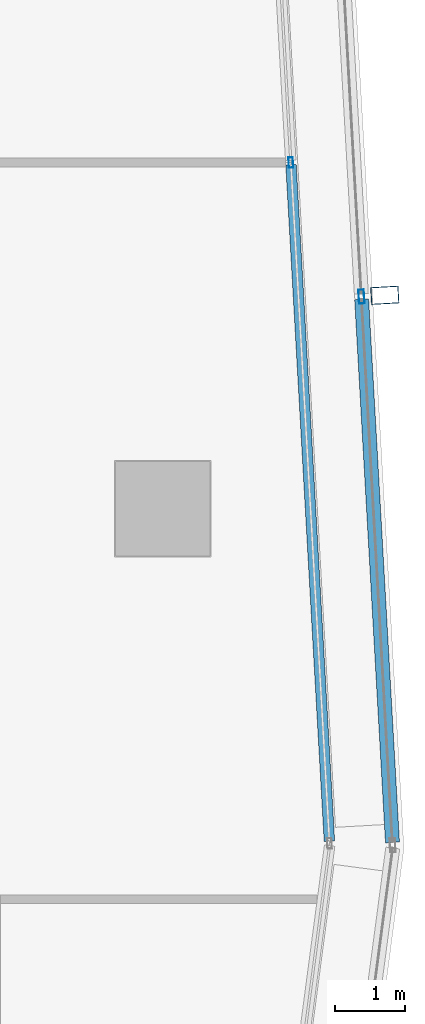
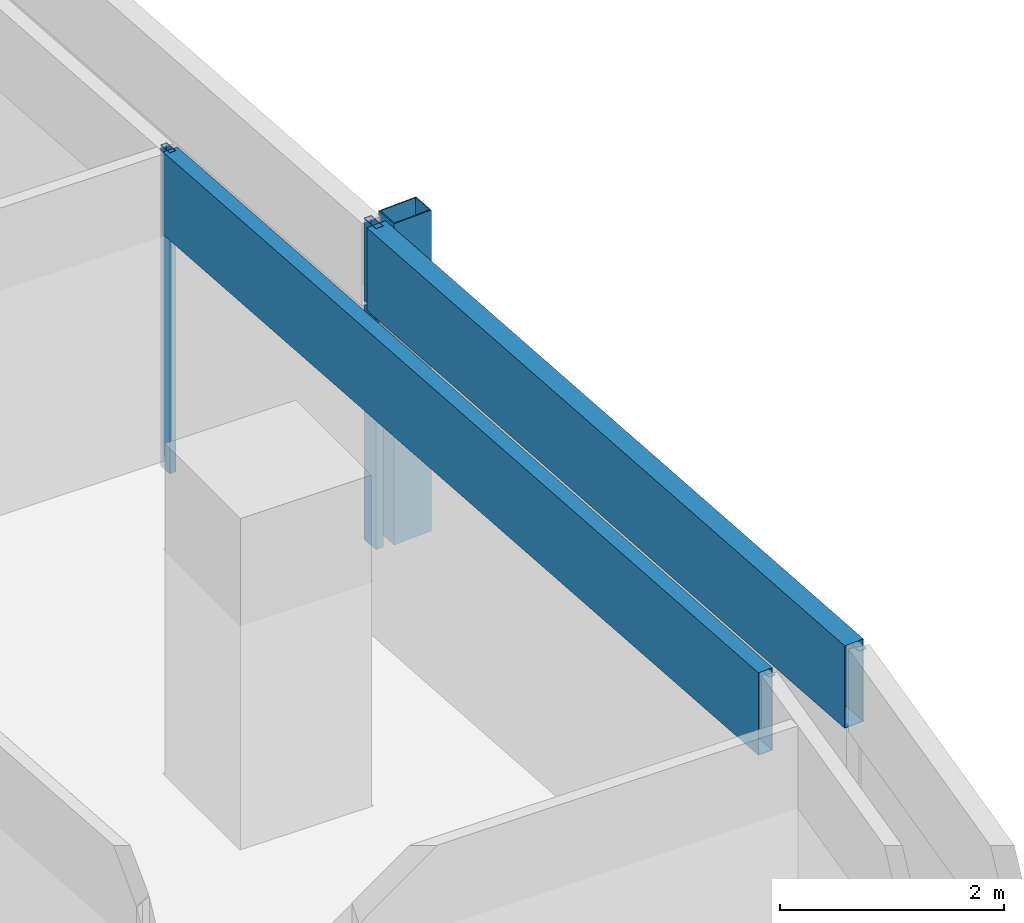
# One storey, part 14 of 39: 5 members, 2 elements without a shape of their own.
"""IFC4 building model written with IfcOpenShell, lengths in metres."""

from ifc_helpers import new_model, si_unit, direction, frame, origin, origin_2d, place, context, subcontext, project, spatial, hollow_rectangle, extrude, material, material_profile, profile_set, type_object, element, aggregate, save


model = new_model("IFC4")

# Units and contexts
model_context = context("Model", 3, precision=1e-05, world=origin(), true_north=direction((0.0, 1.0)))
body_context = subcontext(model_context, "Body", "Model", "MODEL_VIEW")
ifc_project = project(units=[si_unit("LENGTHUNIT", "METRE"), si_unit("AREAUNIT", "SQUARE_METRE"), si_unit("VOLUMEUNIT", "CUBIC_METRE"), si_unit("PLANEANGLEUNIT", "RADIAN"), si_unit("MASSUNIT", "GRAM", prefix="KILO")], contexts=[model_context])

# Site, building, storey
site_placement = place(None, origin())
site = spatial("IfcSite", under=ifc_project, at=site_placement, CompositionType="ELEMENT")
building_placement = place(site_placement, origin())
building = spatial("IfcBuilding", under=site, at=building_placement, Name="Rekha Terrace Tower", CompositionType="ELEMENT")
storey_placement = place(building_placement, frame((0.0, 0.0, 217.699951171875)))
storey = spatial("IfcBuildingStorey", under=building, at=storey_placement, Name="L55", CompositionType="ELEMENT", Elevation=217.699951171875)

# Curtain wall, member
ifc_material_1 = material(Name="Aluminium framing", Category="aluminium")
curtain_wall_type_1 = type_object("IfcCurtainWallType", Name="CW2 double skin outer glazing", PredefinedType="USERDEFINED", material=ifc_material_1)
curtain_wall_1_placement = place(storey_placement, origin())
curtain_wall_1 = element("IfcCurtainWall", 1, at=curtain_wall_1_placement, inside=storey, type_object=curtain_wall_type_1, Name="CW2 double skin outer glazing", ObjectType="DOUBLE SKIN OUTER GLAZING", PredefinedType="USERDEFINED")
ifc_material_2 = material(Name="Steel S355 with fluorocarbon finish", Category="steel")
ifc_material_profile_1 = material_profile(ifc_material_2, hollow_rectangle(XDim=0.25, YDim=0.39990234375, WallThickness=0.012451171875, at=origin_2d()), Name="RHS400x250x12.5")
ifc_profile_set_1 = profile_set([ifc_material_profile_1], Name="Steel S355 with fluorocarbon finish")
member_type_1 = type_object("IfcMemberType", Name="BL1 facade blade RHS 400 x 250", PredefinedType="USERDEFINED", material=ifc_profile_set_1)
member_1_placement = place(storey_placement, frame((61.975830078125, 36.65576171875, 0.0), z_axis=(0.0, 0.0, 1.0), x_axis=(-0.056673619809, 0.998392758797, 0.0)))
member_1 = element("IfcMember", 2, at=member_1_placement, type_object=member_type_1, Name="Facade blade", ObjectType="FACADE BLADE", PredefinedType="USERDEFINED", context=body_context, shape_type="SweptSolid", body=[
    extrude(hollow_rectangle(XDim=0.25, YDim=0.39990234375, WallThickness=0.012451171875, at=origin_2d()), origin(), (0.0, 0.0, 1.0), 3.5),
])

# Curtain wall, members
curtain_wall_type_2 = type_object("IfcCurtainWallType", Name="CW1 double skin inner glazing", PredefinedType="USERDEFINED", material=ifc_material_1)
curtain_wall_2_placement = place(storey_placement, origin())
curtain_wall_2 = element("IfcCurtainWall", 3, at=curtain_wall_2_placement, inside=storey, type_object=curtain_wall_type_2, Name="CW1 double skin inner glazing", ObjectType="DOUBLE SKIN INNER GLAZING", PredefinedType="USERDEFINED")
ifc_material_3 = material(Name="Aluminium mullion section", Category="aluminium")
ifc_material_profile_2 = material_profile(ifc_material_3, hollow_rectangle(XDim=0.06494140625, YDim=0.14990234375, WallThickness=0.00390625, at=origin_2d()), Name="AL RHS 65x150")
ifc_profile_set_2 = profile_set([ifc_material_profile_2], Name="Aluminium mullion section")
member_type_2 = type_object("IfcMemberType", Name="CW1 mullion RHS 65 x 150", PredefinedType="MULLION", material=ifc_profile_set_2)
member_2_placement = place(storey_placement, frame((60.631103515625, 38.555908203125, 0.0), z_axis=(0.0, 0.0, 1.0), x_axis=(-0.998392782919, -0.05667319486, 0.0)))
member_2 = element("IfcMember", 4, at=member_2_placement, type_object=member_type_2, Name="CW1 mullion 2", PredefinedType="MULLION", context=body_context, shape_type="SweptSolid", body=[
    extrude(hollow_rectangle(XDim=0.06494140625, YDim=0.14990234375, WallThickness=0.00390625, at=origin_2d()), origin(), (0.0, 0.0, 1.0), 3.5),
])
ifc_material_4 = material(Name="Insulated aluminium spandrel box", Category="aluminium")
ifc_material_profile_3 = material_profile(ifc_material_4, hollow_rectangle(XDim=0.14990234375, YDim=0.89990234375, WallThickness=0.0029296875, at=origin_2d()), Name="AL SPANDREL BOX 150x900")
ifc_profile_set_3 = profile_set([ifc_material_profile_3], Name="Insulated aluminium spandrel box")
member_type_3 = type_object("IfcMemberType", Name="CW1 spandrel transom 150 x 900", PredefinedType="USERDEFINED", material=ifc_profile_set_3)
member_3_placement = place(storey_placement, frame((61.182373046875, 28.8447265625, 3.050048828125), z_axis=(-0.056663932611, 0.998393308642, 0.0), x_axis=(-0.998393308642, -0.056663932611, 0.0)))
member_3 = element("IfcMember", 5, at=member_3_placement, type_object=member_type_3, Name="CW1 spandrel transom 1", ObjectType="TRANSOM", PredefinedType="USERDEFINED", context=body_context, shape_type="SweptSolid", body=[
    extrude(hollow_rectangle(XDim=0.14990234375, YDim=0.89990234375, WallThickness=0.0029296875, at=origin_2d()), origin(), (0.0, 0.0, 1.0), 9.6943359375),
])
aggregate(curtain_wall_2, [member_2, member_3])

# Member
ifc_material_profile_4 = material_profile(ifc_material_3, hollow_rectangle(XDim=0.080078125, YDim=0.199951171875, WallThickness=0.00390625, at=origin_2d()), Name="AL RHS 80x200")
ifc_profile_set_4 = profile_set([ifc_material_profile_4], Name="Aluminium mullion section")
member_type_4 = type_object("IfcMemberType", Name="CW2 mullion RHS 80 x 200", PredefinedType="MULLION", material=ifc_profile_set_4)
member_4_placement = place(storey_placement, frame((61.6416015625, 36.63671875, 0.0), z_axis=(0.0, 0.0, 1.0), x_axis=(-0.998392782919, -0.05667319486, 0.0)))
member_4 = element("IfcMember", 6, at=member_4_placement, type_object=member_type_4, Name="CW2 mullion 2", PredefinedType="MULLION", context=body_context, shape_type="SweptSolid", body=[
    extrude(hollow_rectangle(XDim=0.080078125, YDim=0.199951171875, WallThickness=0.00390625, at=origin_2d()), origin(), (0.0, 0.0, 1.0), 3.5),
])

ifc_material_profile_5 = material_profile(ifc_material_4, hollow_rectangle(XDim=0.199951171875, YDim=0.89990234375, WallThickness=0.0029296875, at=origin_2d()), Name="AL SPANDREL BOX 200x900")
ifc_profile_set_5 = profile_set([ifc_material_profile_5], Name="Insulated aluminium spandrel box")
member_type_5 = type_object("IfcMemberType", Name="CW2 spandrel transom 200 x 900", PredefinedType="USERDEFINED", material=ifc_profile_set_5)
member_5_placement = place(storey_placement, frame((62.0849609375, 28.825927734375, 3.050048828125), z_axis=(-0.05667908121, 0.998392448766, 0.0), x_axis=(-0.998392448766, -0.05667908121, 0.0)))
member_5 = element("IfcMember", 7, at=member_5_placement, type_object=member_type_5, Name="CW2 spandrel transom 1", ObjectType="TRANSOM", PredefinedType="USERDEFINED", context=body_context, shape_type="SweptSolid", body=[
    extrude(hollow_rectangle(XDim=0.199951171875, YDim=0.89990234375, WallThickness=0.0029296875, at=origin_2d()), origin(), (0.0, 0.0, 1.0), 7.783447265625),
])

aggregate(curtain_wall_1, [member_4, member_5, member_1])

save(model, "model.ifc")
